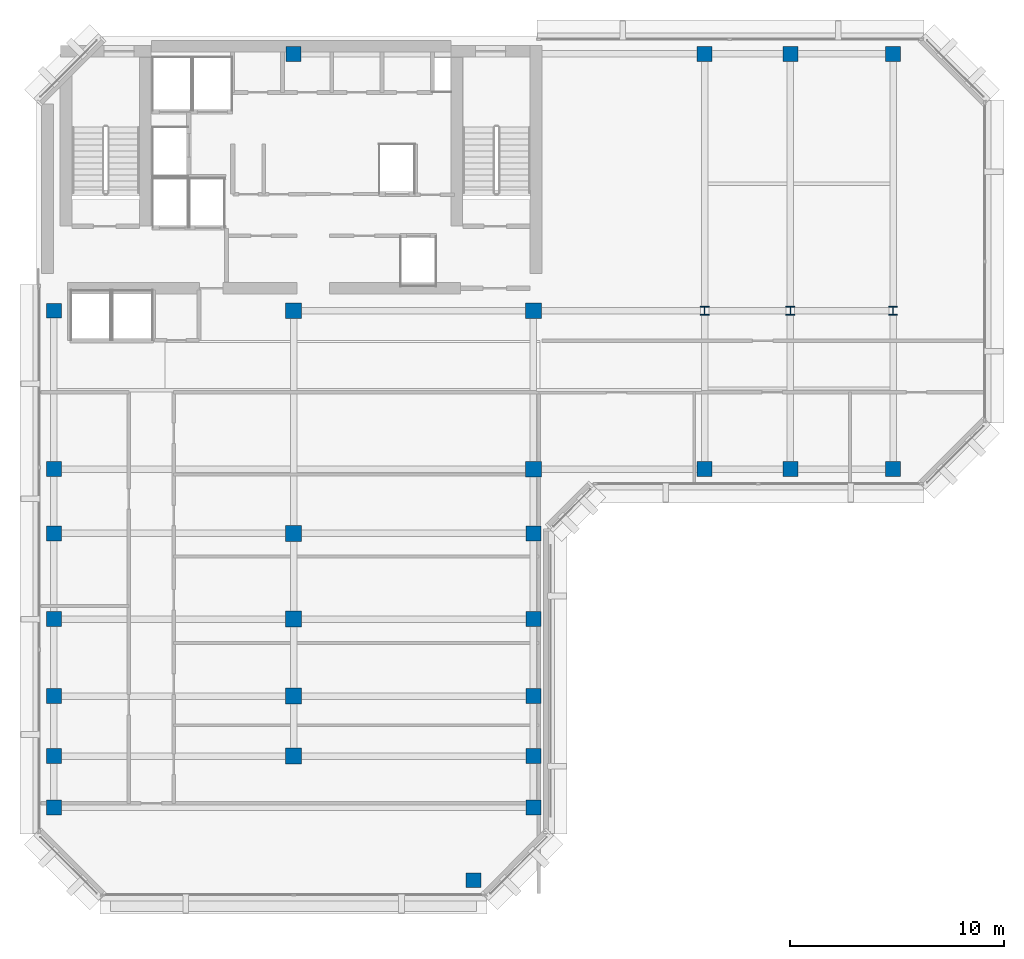
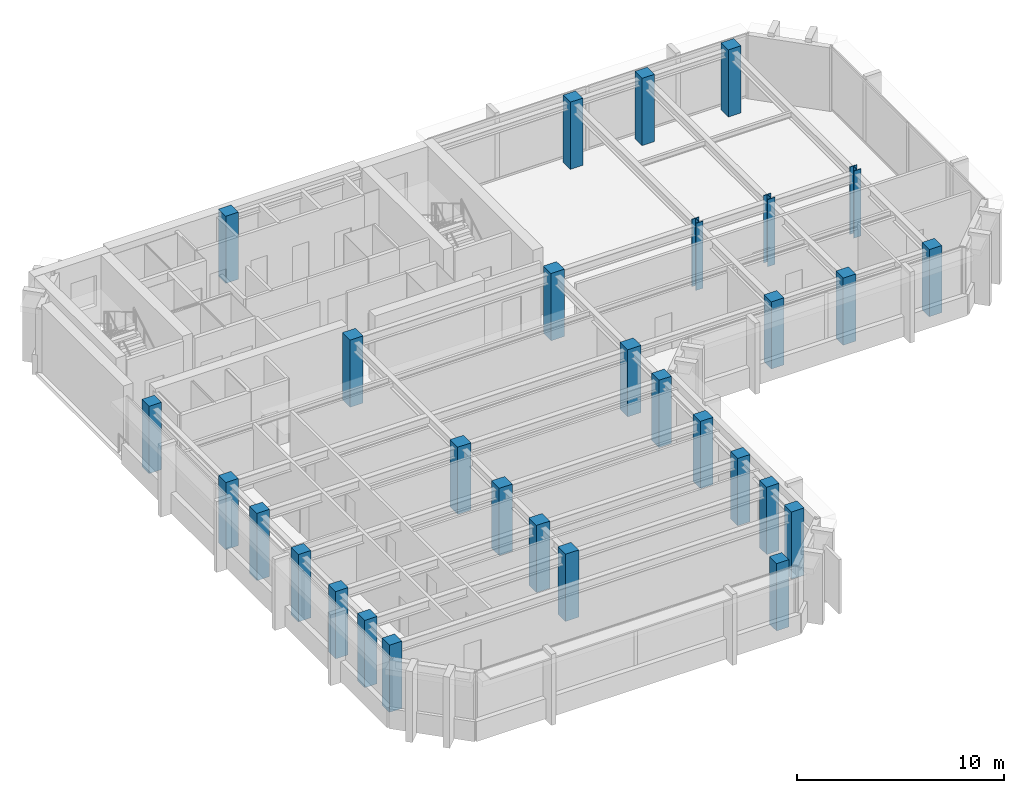
# One storey, part 1 of 11: 30 columns.
"""IFC4 building model written with IfcOpenShell, lengths in metres."""

from ifc_helpers import new_model, si_unit, direction, frame, origin, origin_2d, place, context, subcontext, project, spatial, rectangle, i_section, extrude, material, material_profile, profile_set, type_object, element, save


model = new_model("IFC4")

# Units and contexts
model_context = context("Model", 3, precision=1e-05, world=origin(), true_north=direction((0.0, 1.0)))
body_context = subcontext(model_context, "Body", "Model", "MODEL_VIEW")
ifc_project = project(units=[si_unit("LENGTHUNIT", "METRE"), si_unit("AREAUNIT", "SQUARE_METRE"), si_unit("VOLUMEUNIT", "CUBIC_METRE"), si_unit("PLANEANGLEUNIT", "RADIAN"), si_unit("MASSUNIT", "GRAM", prefix="KILO")], contexts=[model_context])

# Site, building, storey
site_placement = place(None, origin())
site = spatial("IfcSite", under=ifc_project, at=site_placement, CompositionType="ELEMENT")
building_placement = place(site_placement, origin())
building = spatial("IfcBuilding", under=site, at=building_placement, Name="Kefirva Bronze Tower", CompositionType="ELEMENT")
storey_placement = place(building_placement, frame((0.0, 0.0, 335.610107421875)))
storey = spatial("IfcBuildingStorey", under=building, at=storey_placement, Name="L82", CompositionType="ELEMENT", Elevation=335.610107421875)

# Columns
ifc_material_1 = material(Name="Concrete C50/60", Category="concrete")
ifc_material_profile_1 = material_profile(ifc_material_1, rectangle(XDim=0.699951171875, YDim=0.699951171875, at=origin_2d()), Name="RC 700x700")
ifc_profile_set_1 = profile_set([ifc_material_profile_1], Name="Concrete C50/60")
column_type_1 = type_object("IfcColumnType", Name="RC Column 700x700 Ext", PredefinedType="COLUMN", material=ifc_profile_set_1)
for number, where, z_axis, x_axis, name in (
    (1, (0.800048828125, 10.0, 0.0), (0.0, 0.0, 1.0), (1.0, 0.0, 0.0), "L82 Column C008_100"),
    (2, (0.800048828125, 12.39990234375, 0.0), (0.0, 0.0, 1.0), (1.0, 0.0, 0.0), "L82 Column C008_124"),
    (3, (0.800048828125, 15.199951171875, 0.0), (0.0, 0.0, 1.0), (1.0, 0.0, 0.0), "L82 Column C008_152"),
    (4, (0.800048828125, 18.800048828125, 0.0), (0.0, 0.0, 1.0), (1.0, 0.0, 0.0), "L82 Column C008_188"),
    (5, (0.800048828125, 22.800048828125, 0.0), (0.0, 0.0, 1.0), (1.0, 0.0, 0.0), "L82 Column C008_228"),
    (6, (0.800048828125, 25.800048828125, 0.0), (0.0, 0.0, 1.0), (1.0, 0.0, 0.0), "L82 Column C008_258"),
    (7, (0.800048828125, 33.199951171875, 0.0), (0.0, 0.0, 1.0), (1.0, 0.0, 0.0), "L82 Column C008_332"),
    (8, (12.0, 45.199951171875, 0.0), (0.0, 0.0, 1.0), (1.0, 0.0, 0.0), "L82 Column C120_452"),
    (9, (20.39990234375, 6.60009765625, 0.0), (0.0, 0.0, 1.0), (1.0, 0.0, 0.0), "L82 Column C204_066"),
    (10, (23.199951171875, 10.0, 0.0), (0.0, 0.0, 1.0), (1.0, 0.0, 0.0), "L82 Column C232_100"),
    (11, (23.199951171875, 12.39990234375, 0.0), (0.0, 0.0, 1.0), (1.0, 0.0, 0.0), "L82 Column C232_124"),
    (12, (23.199951171875, 15.199951171875, 0.0), (0.0, 0.0, 1.0), (1.0, 0.0, 0.0), "L82 Column C232_152"),
    (13, (23.199951171875, 18.800048828125, 0.0), (0.0, 0.0, 1.0), (1.0, 0.0, 0.0), "L82 Column C232_188"),
    (14, (23.199951171875, 22.800048828125, 0.0), (0.0, 0.0, 1.0), (1.0, 0.0, 0.0), "L82 Column C232_228"),
    (15, (31.199951171875, 25.800048828125, 0.0), (0.0, 0.0, 1.0), (1.0, 0.0, 0.0), "L82 Column C312_258"),
    (16, (31.199951171875, 45.199951171875, 0.0), (0.0, 0.0, 1.0), (1.0, 0.0, 0.0), "L82 Column C312_452"),
    (17, (35.199951171875, 25.800048828125, 0.0), (0.0, 0.0, 1.0), (1.0, 0.0, 0.0), "L82 Column C352_258"),
    (18, (35.199951171875, 45.199951171875, 0.0), (0.0, 0.0, 1.0), (1.0, 0.0, 0.0), "L82 Column C352_452"),
    (19, (40.0, 25.800048828125, 0.0), (0.0, 0.0, 1.0), (1.0, 0.0, 0.0), "L82 Column C400_258"),
    (20, (40.0, 45.199951171875, 0.0), (0.0, 0.0, 1.0), (1.0, 0.0, 0.0), "L82 Column C400_452"),
):
    element("IfcColumn", number, at=place(storey_placement, frame(where, z_axis=z_axis, x_axis=x_axis)), inside=storey, type_object=column_type_1, Name=name, PredefinedType="COLUMN", context=body_context, shape_type="SweptSolid", body=[
        extrude(rectangle(XDim=0.699951171875, YDim=0.699951171875, at=origin_2d()), origin(), (0.0, 0.0, 1.0), 3.9599609375),
    ])
ifc_material_profile_2 = material_profile(ifc_material_1, rectangle(XDim=0.739990234375, YDim=0.739990234375, at=origin_2d()), Name="RC 740x740")
ifc_profile_set_2 = profile_set([ifc_material_profile_2], Name="Concrete C50/60")
column_type_2 = type_object("IfcColumnType", Name="RC Column 740x740 Int", PredefinedType="COLUMN", material=ifc_profile_set_2)
for number, where, z_axis, x_axis, name in (
    (21, (12.0, 12.39990234375, 0.0), (0.0, 0.0, 1.0), (1.0, 0.0, 0.0), "L82 Column C120_124"),
    (22, (12.0, 15.199951171875, 0.0), (0.0, 0.0, 1.0), (1.0, 0.0, 0.0), "L82 Column C120_152"),
    (23, (12.0, 18.800048828125, 0.0), (0.0, 0.0, 1.0), (1.0, 0.0, 0.0), "L82 Column C120_188"),
    (24, (12.0, 22.800048828125, 0.0), (0.0, 0.0, 1.0), (1.0, 0.0, 0.0), "L82 Column C120_228"),
    (25, (12.0, 33.199951171875, 0.0), (0.0, 0.0, 1.0), (1.0, 0.0, 0.0), "L82 Column C120_332"),
    (26, (23.199951171875, 25.800048828125, 0.0), (0.0, 0.0, 1.0), (1.0, 0.0, 0.0), "L82 Column C232_258"),
    (27, (23.199951171875, 33.199951171875, 0.0), (0.0, 0.0, 1.0), (1.0, 0.0, 0.0), "L82 Column C232_332"),
):
    element("IfcColumn", number, at=place(storey_placement, frame(where, z_axis=z_axis, x_axis=x_axis)), inside=storey, type_object=column_type_2, Name=name, PredefinedType="COLUMN", context=body_context, shape_type="SweptSolid", body=[
        extrude(rectangle(XDim=0.739990234375, YDim=0.739990234375, at=origin_2d()), origin(), (0.0, 0.0, 1.0), 3.9599609375),
    ])
ifc_material_2 = material(Name="Steel S460", Category="steel")
ifc_material_profile_3 = material_profile(ifc_material_2, i_section(OverallWidth=0.406005859375, OverallDepth=0.416015625, WebThickness=0.02197265625, FlangeThickness=0.035888671875, at=origin_2d()), Name="HD 400x382")
ifc_profile_set_3 = profile_set([ifc_material_profile_3], Name="Steel S460")
column_type_3 = type_object("IfcColumnType", Name="Steel Column HD 400x382", PredefinedType="COLUMN", material=ifc_profile_set_3)
for number, where, z_axis, x_axis, name in (
    (28, (31.199951171875, 33.199951171875, 0.0), (0.0, 0.0, 1.0), (1.0, 0.0, 0.0), "L82 Column C312_332"),
    (29, (35.199951171875, 33.199951171875, 0.0), (0.0, 0.0, 1.0), (1.0, 0.0, 0.0), "L82 Column C352_332"),
    (30, (40.0, 33.199951171875, 0.0), (0.0, 0.0, 1.0), (1.0, 0.0, 0.0), "L82 Column C400_332"),
):
    element("IfcColumn", number, at=place(storey_placement, frame(where, z_axis=z_axis, x_axis=x_axis)), inside=storey, type_object=column_type_3, Name=name, PredefinedType="COLUMN", context=body_context, shape_type="SweptSolid", body=[
        extrude(i_section(OverallWidth=0.406005859375, OverallDepth=0.416015625, WebThickness=0.02197265625, FlangeThickness=0.035888671875, at=origin_2d()), origin(), (0.0, 0.0, 1.0), 3.9599609375),
    ])

save(model, "model.ifc")
